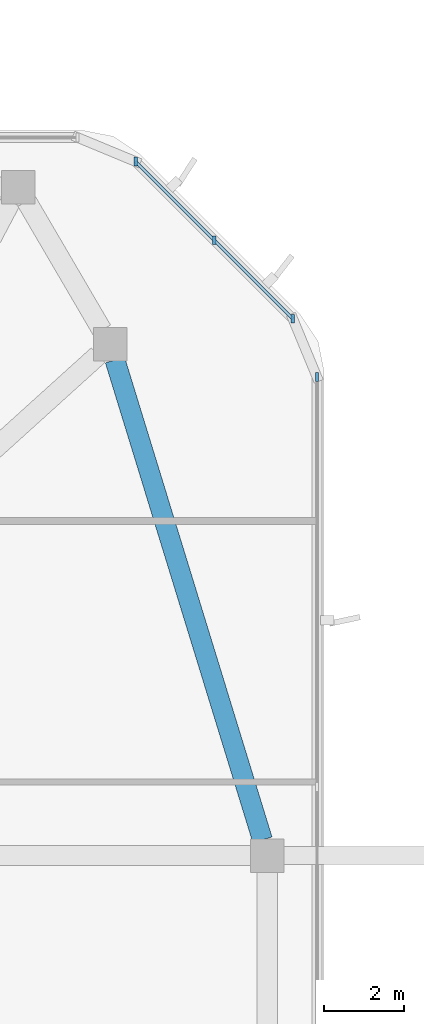
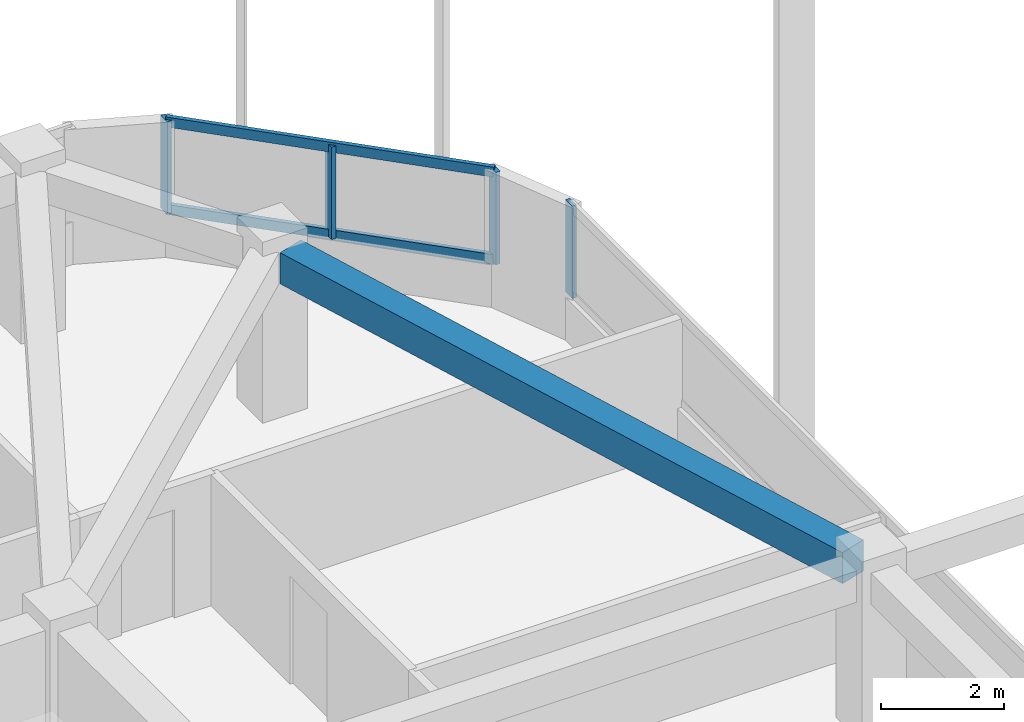
# One storey, part 5 of 13: 6 members, 1 beam, 2 elements without a shape of their own.
"""IFC4 building model written with IfcOpenShell, lengths in metres."""

from ifc_helpers import new_model, si_unit, derived_unit, direction, frame, origin, origin_2d, place, context, subcontext, project, spatial, rectangle, extrude, material, material_profile, profile_set, type_object, element, aggregate, save


model = new_model("IFC4")

# Units and contexts
model_context = context("Model", 3, precision=1e-05, world=origin(), true_north=direction((0.0, 1.0)))
body_context = subcontext(model_context, "Body", "Model", "MODEL_VIEW")
ifc_project = project(units=[si_unit("LENGTHUNIT", "METRE"), si_unit("AREAUNIT", "SQUARE_METRE"), si_unit("VOLUMEUNIT", "CUBIC_METRE"), si_unit("PLANEANGLEUNIT", "RADIAN"), si_unit("MASSUNIT", "GRAM", prefix="KILO"), derived_unit("THERMALTRANSMITTANCEUNIT", [(si_unit("POWERUNIT", "WATT"), 1), (si_unit("LENGTHUNIT", "METRE"), -2), (si_unit("THERMODYNAMICTEMPERATUREUNIT", "KELVIN"), -1)])], contexts=[model_context])

# Site, building, storey
site_placement = place(None, origin())
site = spatial("IfcSite", under=ifc_project, at=site_placement, CompositionType="ELEMENT")
building_placement = place(site_placement, origin())
building = spatial("IfcBuilding", under=site, at=building_placement, Name="Koralith Skygarden Medical Center", CompositionType="ELEMENT")
storey_placement = place(building_placement, frame((0.0, 0.0, 253.6201171875)))
storey = spatial("IfcBuildingStorey", under=building, at=storey_placement, Name="L65", CompositionType="ELEMENT", Elevation=253.6201171875)

# Curtain wall, member
ifc_material_1 = material(Name="Clear Laminated Glass", Category="glass")
curtain_wall_type = type_object("IfcCurtainWallType", Name="CW-6 Zone 5 Upper Clinical Curtain Wall", PredefinedType="NOTDEFINED", material=ifc_material_1)
curtain_wall_1_placement = place(storey_placement, origin())
curtain_wall_1 = element("IfcCurtainWall", 1, at=curtain_wall_1_placement, inside=storey, type_object=curtain_wall_type, Name="Curtain Wall CW-L65-E", PredefinedType="NOTDEFINED")
ifc_material_2 = material(Name="Aluminium 6063-T6", Category="aluminium")
ifc_material_profile_1 = material_profile(ifc_material_2, rectangle(XDim=0.0830078125, YDim=0.219970703125, at=origin_2d()), Name="MUL83X220")
ifc_profile_set_1 = profile_set([ifc_material_profile_1], Name="Aluminium 6063-T6")
member_type_1 = type_object("IfcMemberType", Name="CW-6 Extruded Mullion 83x220", PredefinedType="MULLION", material=ifc_profile_set_1)
member_1_placement = place(storey_placement, frame((61.719970703125, 41.2451171875, 0.849853515625), z_axis=(0.0, 0.0, 1.0), x_axis=(1.0, 0.0, 0.0)))
member_1 = element("IfcMember", 2, at=member_1_placement, type_object=member_type_1, Name="CW-L65-E Mullion 4", PredefinedType="MULLION", context=body_context, shape_type="SweptSolid", body=[
    extrude(rectangle(XDim=0.0830078125, YDim=0.219970703125, at=origin_2d()), origin(), (0.0, 0.0, 1.0), 1.840087890625),
])
aggregate(curtain_wall_1, [member_1])

# Curtain wall, members
curtain_wall_2_placement = place(storey_placement, origin())
curtain_wall_2 = element("IfcCurtainWall", 3, at=curtain_wall_2_placement, inside=storey, type_object=curtain_wall_type, Name="Curtain Wall CW-L65-NE", PredefinedType="NOTDEFINED")
member_2_placement = place(storey_placement, frame((61.118896484375, 42.696044921875, 0.849853515625), z_axis=(0.0, 0.0, 1.0), x_axis=(1.0, 0.0, 0.0)))
member_2 = element("IfcMember", 4, at=member_2_placement, type_object=member_type_1, Name="CW-L65-NE Mullion 1", PredefinedType="MULLION", context=body_context, shape_type="SweptSolid", body=[
    extrude(rectangle(XDim=0.0830078125, YDim=0.219970703125, at=origin_2d()), origin(), (0.0, 0.0, 1.0), 1.840087890625),
])
member_3_placement = place(storey_placement, frame((59.156982421875, 44.656982421875, 0.849853515625), z_axis=(0.0, 0.0, 1.0), x_axis=(1.0, 0.0, 0.0)))
member_3 = element("IfcMember", 5, at=member_3_placement, type_object=member_type_1, Name="CW-L65-NE Mullion 2", PredefinedType="MULLION", context=body_context, shape_type="SweptSolid", body=[
    extrude(rectangle(XDim=0.0830078125, YDim=0.219970703125, at=origin_2d()), origin(), (0.0, 0.0, 1.0), 1.840087890625),
])
member_4_placement = place(storey_placement, frame((57.196044921875, 46.618896484375, 0.849853515625), z_axis=(0.0, 0.0, 1.0), x_axis=(1.0, 0.0, 0.0)))
member_4 = element("IfcMember", 6, at=member_4_placement, type_object=member_type_1, Name="CW-L65-NE Mullion 3", PredefinedType="MULLION", context=body_context, shape_type="SweptSolid", body=[
    extrude(rectangle(XDim=0.0830078125, YDim=0.219970703125, at=origin_2d()), origin(), (0.0, 0.0, 1.0), 1.840087890625),
])
ifc_material_profile_2 = material_profile(ifc_material_2, rectangle(XDim=0.077880859375, YDim=0.197998046875, at=origin_2d()), Name="TRN78X198")
ifc_profile_set_2 = profile_set([ifc_material_profile_2], Name="Aluminium 6063-T6")
member_type_2 = type_object("IfcMemberType", Name="CW-6 Thermal Transom 78x198", PredefinedType="USERDEFINED", material=ifc_profile_set_2)
member_5_placement = place(storey_placement, frame((61.118896484375, 42.696044921875, 0.89990234375), z_axis=(-0.707106781187, 0.707106781187, 0.0), x_axis=(-0.707106781187, -0.707106781187, 0.0)))
member_5 = element("IfcMember", 7, at=member_5_placement, type_object=member_type_2, Name="CW-L65-NE Transom 1", ObjectType="TRANSOM", PredefinedType="USERDEFINED", context=body_context, shape_type="SweptSolid", body=[
    extrude(rectangle(XDim=0.077880859375, YDim=0.197998046875, at=origin_2d()), origin(), (0.0, 0.0, 1.0), 5.5478515625),
])
member_6_placement = place(storey_placement, frame((61.118896484375, 42.696044921875, 2.639892578125), z_axis=(-0.707106781187, 0.707106781187, 0.0), x_axis=(-0.707106781187, -0.707106781187, 0.0)))
member_6 = element("IfcMember", 8, at=member_6_placement, type_object=member_type_2, Name="CW-L65-NE Transom 2", ObjectType="TRANSOM", PredefinedType="USERDEFINED", context=body_context, shape_type="SweptSolid", body=[
    extrude(rectangle(XDim=0.077880859375, YDim=0.197998046875, at=origin_2d()), origin(), (0.0, 0.0, 1.0), 5.5478515625),
])
aggregate(curtain_wall_2, [member_2, member_3, member_4, member_5, member_6])

# Beam
ifc_material_3 = material(Name="Concrete C45/55", Category="concrete")
ifc_material_profile_3 = material_profile(ifc_material_3, rectangle(XDim=0.5, YDim=0.6201171875, at=origin_2d()), Name="RCB500X620")
ifc_profile_set_3 = profile_set([ifc_material_profile_3], Name="Concrete C45/55")
beam_type = type_object("IfcBeamType", Name="Zone 4-5 Spandrel Beam RCB500X620", PredefinedType="SPANDREL", material=ifc_profile_set_3)
beam_placement = place(storey_placement, frame((60.360107421875, 29.69189453125, 3.009765625), z_axis=(-0.293738023424, 0.955885962652, 0.0), x_axis=(-0.955885962652, -0.293738023424, 0.0)))
element("IfcBeam", 9, at=beam_placement, inside=storey, type_object=beam_type, Name="L65 Perimeter Spandrel Beam SP-09", PredefinedType="SPANDREL", context=body_context, shape_type="SweptSolid", body=[
    extrude(rectangle(XDim=0.5, YDim=0.6201171875, at=origin_2d()), origin(), (0.0, 0.0, 1.0), 12.52880859375),
])

save(model, "model.ifc")
